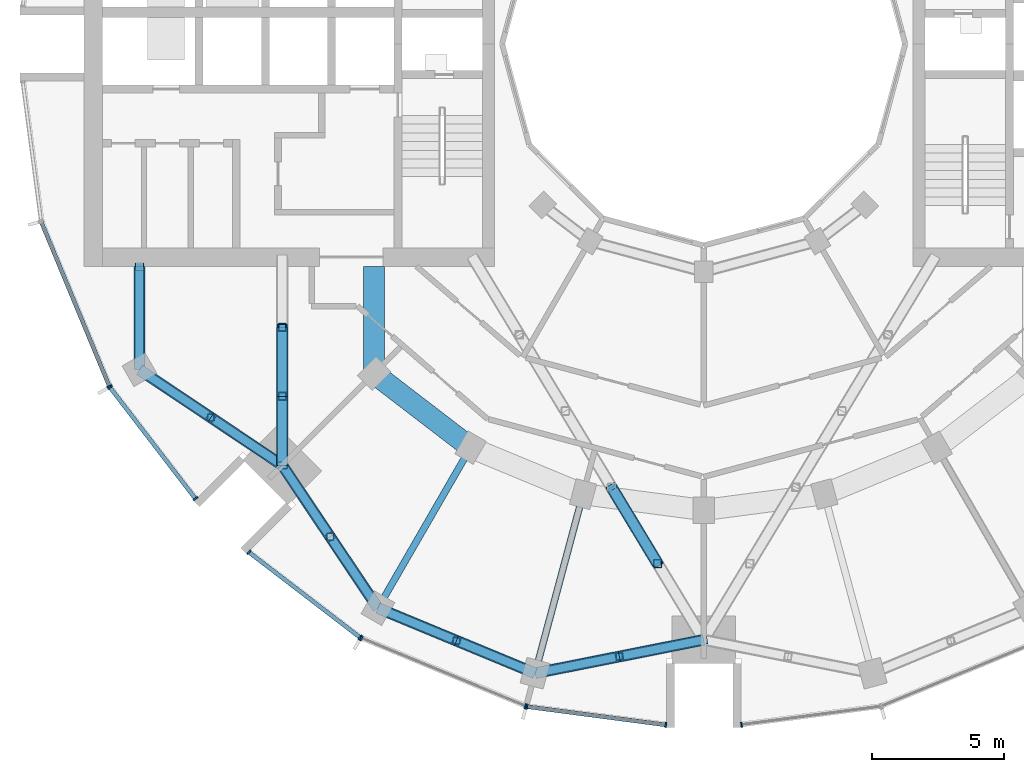
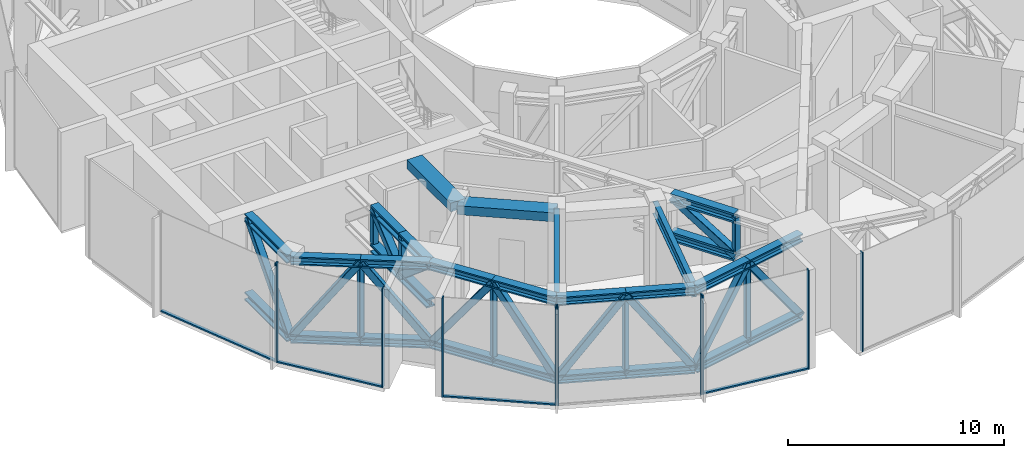
# One storey, part 2 of 18: 57 members, 4 beams, 6 elements without a shape of their own.
"""IFC4 building model written with IfcOpenShell, lengths in metres."""

import ifcopenshell
import ifcopenshell.guid

model = None  # the IFC model being written
_history = None  # IfcOwnerHistory: only IFC2X3 demands one
_inside = {}  # id of a spatial element -> (the spatial element, [elements in it])
_under = {}  # id of a project, library or spatial element -> (it, [spatial elements below it])
_declared = {}  # id of a project -> (the project, [libraries it declares])
_typed = {}  # id of a type object -> (the type object, [elements of that type])
_made_of = {}  # id of a material, layer set ... -> (it, [elements and type objects made of it])


def new_model(schema):
    """Start an empty IFC model of exactly this schema.

    Asked for "IFC4X3", IfcOpenShell would pick the latest addendum, in which some entities
    have other attributes; the version numbers below select the first issue.
    IFC2X3 requires an IfcOwnerHistory on every rooted entity: one is made here for all.
    """
    global model, _history
    if schema == "IFC4X3":
        model = ifcopenshell.file(schema_version=(4, 3, 0, 0))
    else:
        model = ifcopenshell.file(schema=schema)
    _inside.clear()
    _under.clear()
    _declared.clear()
    _typed.clear()
    _made_of.clear()
    _history = None
    if model.schema == "IFC2X3":
        org = make("IfcOrganization", Name="unknown")
        user = make(
            "IfcPersonAndOrganization",
            ThePerson=make("IfcPerson", FamilyName="unknown"),
            TheOrganization=org,
        )
        app = make(
            "IfcApplication",
            ApplicationDeveloper=org,
            Version="unknown",
            ApplicationFullName="unknown",
            ApplicationIdentifier="unknown",
        )
        _history = make(
            "IfcOwnerHistory",
            OwningUser=user,
            OwningApplication=app,
            ChangeAction="ADDED",
            CreationDate=0,
        )
    return model


def make(cls, **values):
    """One entity of the class cls with the attributes given. An attribute that is None is left unset."""
    return model.create_entity(
        cls, **{name: value for name, value in values.items() if value is not None}
    )


def rooted(cls, **values):
    """An entity with a GlobalId (a new one), such as an element, a storey or a relation."""
    return make(cls, GlobalId=ifcopenshell.guid.new(), OwnerHistory=_history, **values)


def si_unit(unit_type, name, prefix=None):
    """IfcSIUnit, for example si_unit("LENGTHUNIT", "METRE", prefix="MILLI")."""
    return make("IfcSIUnit", UnitType=unit_type, Prefix=prefix, Name=name)


def assignment(units):
    """IfcUnitAssignment: the units of a project."""
    return None if units is None else make("IfcUnitAssignment", Units=units)


def point(xyz):
    """IfcCartesianPoint."""
    return None if xyz is None else make("IfcCartesianPoint", Coordinates=xyz)


def direction(xyz):
    """IfcDirection."""
    return None if xyz is None else make("IfcDirection", DirectionRatios=xyz)


def frame(location, z_axis=None, x_axis=None):
    """IfcAxis2Placement3D, a coordinate frame: its origin and axes. An axis left out is left unset."""
    return make(
        "IfcAxis2Placement3D",
        Location=point(location),
        Axis=direction(z_axis),
        RefDirection=direction(x_axis),
    )


def frame_2d(location, x_axis=None):
    """IfcAxis2Placement2D, a coordinate frame in the plane: its origin and x axis."""
    return make(
        "IfcAxis2Placement2D", Location=point(location), RefDirection=direction(x_axis)
    )


def origin():
    """The frame at (0, 0, 0) with its axes left unset."""
    return frame((0.0, 0.0, 0.0))


def origin_2d():
    """The frame at (0, 0) in the plane with its x axis left unset."""
    return frame_2d((0.0, 0.0))


def place(relative_to, where):
    """IfcLocalPlacement: puts the frame where relative to a parent placement (None: the world)."""
    return make(
        "IfcLocalPlacement", PlacementRelTo=relative_to, RelativePlacement=where
    )


def context(
    kind, dimensions, precision=None, world=None, true_north=None, identifier=None
):
    """IfcGeometricRepresentationContext, for example the 3D "Model" context."""
    return make(
        "IfcGeometricRepresentationContext",
        ContextIdentifier=identifier,
        ContextType=kind,
        CoordinateSpaceDimension=dimensions,
        Precision=precision,
        WorldCoordinateSystem=world,
        TrueNorth=true_north,
    )


def subcontext(parent, identifier, kind, view, scale=None):
    """IfcGeometricRepresentationSubContext, for example "Body" below "Model"."""
    return make(
        "IfcGeometricRepresentationSubContext",
        ContextIdentifier=identifier,
        ContextType=kind,
        ParentContext=parent,
        TargetScale=scale,
        TargetView=view,
    )


def project(units=None, contexts=None):
    """IfcProject with its units and contexts."""
    return rooted(
        "IfcProject",
        Name="project",
        RepresentationContexts=contexts,
        UnitsInContext=assignment(units),
    )


def spatial(cls, under=None, at=None, **own):
    """A site, building, storey or space (cls), placed at a placement, below another one or the project."""
    s = rooted(cls, ObjectPlacement=at, **own)
    if under is not None:
        _under.setdefault(under.id(), (under, []))[1].append(s)
    return s


def profile(cls, at=None, kind="AREA", **sizes):
    """A parametric profile (cls). Its sizes go by their IFC names, for example OverallWidth=200.0."""
    return make(cls, ProfileType=kind, Position=at, **sizes)


def rectangle(**sizes):
    """IfcRectangleProfileDef."""
    return profile("IfcRectangleProfileDef", **sizes)


def hollow_rectangle(**sizes):
    """IfcRectangleHollowProfileDef."""
    return profile("IfcRectangleHollowProfileDef", **sizes)


def i_section(**sizes):
    """IfcIShapeProfileDef."""
    return profile("IfcIShapeProfileDef", **sizes)


def extrude(swept, where, along, depth):
    """IfcExtrudedAreaSolid: the profile swept, set in the frame where, extruded along a direction by depth."""
    return make(
        "IfcExtrudedAreaSolid",
        SweptArea=swept,
        Position=where,
        ExtrudedDirection=direction(along),
        Depth=depth,
    )


def shape(context_of_items, identifier, shape_type, items):
    """IfcShapeRepresentation: the items that make up one representation, for example the "Body"."""
    return make(
        "IfcShapeRepresentation",
        ContextOfItems=context_of_items,
        RepresentationIdentifier=identifier,
        RepresentationType=shape_type,
        Items=items,
    )


def material(Name=None, Category=None):
    """IfcMaterial."""
    return make("IfcMaterial", Name=Name, Category=Category)


def layer(
    of_material, thickness, ventilated=None, Name=None, Category=None, Priority=None
):
    """IfcMaterialLayer: one layer of a wall or slab, of a material (None: an air gap)."""
    return make(
        "IfcMaterialLayer",
        Material=of_material,
        LayerThickness=thickness,
        IsVentilated=ventilated,
        Name=Name,
        Category=Category,
        Priority=Priority,
    )


def layer_set(layers, Name=None):
    """IfcMaterialLayerSet."""
    return make("IfcMaterialLayerSet", MaterialLayers=layers, LayerSetName=Name)


def material_profile(
    of_material, cross_section, Name=None, Category=None, Priority=None
):
    """IfcMaterialProfile: a cross section and its material."""
    return make(
        "IfcMaterialProfile",
        Name=Name,
        Material=of_material,
        Profile=cross_section,
        Priority=Priority,
        Category=Category,
    )


def profile_set(profiles, Name=None, composite=None):
    """IfcMaterialProfileSet."""
    return make(
        "IfcMaterialProfileSet",
        Name=Name,
        MaterialProfiles=profiles,
        CompositeProfile=composite,
    )


def made_of(thing, what):
    """Note that an element or type object is made of a material, layer set ...; save() writes the relation."""
    if what is not None:
        _made_of.setdefault(what.id(), (what, []))[1].append(thing)
    return thing


def type_object(cls, material=None, **own):
    """A type object (cls), such as IfcWallType, which elements share."""
    return made_of(rooted(cls, **own), material)


def element(
    cls,
    number,
    at=None,
    inside=None,
    cuts=None,
    type_object=None,
    material=None,
    context=None,
    identifier="Body",
    shape_type=None,
    held_by="IfcProductDefinitionShape",
    body=None,
    shapes=None,
    **own,
):
    """One element of the class cls, such as IfcWall. Its Tag is "e" and its number.

    at: its placement. inside: the storey or other place that contains it. cuts: it is an
    opening in that element (IfcRelVoidsElement). A single representation is given by context,
    identifier, shape_type and body (its items); several are given by shapes. held_by: the class
    of the entity that holds the representations. save() writes the other relations.
    """
    e = rooted(cls, Tag="e%d" % number, ObjectPlacement=at, **own)
    if body is not None:
        shapes = [shape(context, identifier, shape_type, body)]
    if shapes is not None:
        e.Representation = make(held_by, Representations=shapes)
    if inside is not None:
        _inside.setdefault(inside.id(), (inside, []))[1].append(e)
    if cuts is not None:
        rooted(
            "IfcRelVoidsElement", RelatingBuildingElement=cuts, RelatedOpeningElement=e
        )
    if type_object is not None:
        _typed.setdefault(type_object.id(), (type_object, []))[1].append(e)
    return made_of(e, material)


def aggregate(whole, parts):
    """IfcRelAggregates: a whole, such as a stair, and the parts it consists of."""
    return rooted("IfcRelAggregates", RelatingObject=whole, RelatedObjects=parts)


def save(model, path):
    """Write the relations noted so far, then the file.

    IfcRelAggregates (storeys below a building ...), IfcRelContainedInSpatialStructure (elements
    in a storey), IfcRelDefinesByType, IfcRelAssociatesMaterial and IfcRelDeclares: one each for
    every whole, place, type object, material and project.
    """
    for whole, parts in _under.values():
        aggregate(whole, parts)
    for where, things in _inside.values():
        rooted(
            "IfcRelContainedInSpatialStructure",
            RelatedElements=things,
            RelatingStructure=where,
        )
    for kind, things in _typed.values():
        rooted("IfcRelDefinesByType", RelatedObjects=things, RelatingType=kind)
    for what, things in _made_of.values():
        rooted("IfcRelAssociatesMaterial", RelatedObjects=things, RelatingMaterial=what)
    for by, libraries in _declared.values():
        rooted("IfcRelDeclares", RelatingContext=by, RelatedDefinitions=libraries)
    model.write(path)


model = new_model("IFC4")

# Units and contexts
model_context = context("Model", 3, precision=1e-05, world=origin(), true_north=direction((0.0, 1.0)))
body_context = subcontext(model_context, "Body", "Model", "MODEL_VIEW")
ifc_project = project(units=[si_unit("LENGTHUNIT", "METRE"), si_unit("AREAUNIT", "SQUARE_METRE"), si_unit("VOLUMEUNIT", "CUBIC_METRE"), si_unit("PLANEANGLEUNIT", "RADIAN"), si_unit("MASSUNIT", "GRAM", prefix="KILO")], contexts=[model_context])

# Site, building, storey
site_placement = place(None, origin())
site = spatial("IfcSite", under=ifc_project, at=site_placement, CompositionType="ELEMENT")
building_placement = place(site_placement, origin())
building = spatial("IfcBuilding", under=site, at=building_placement, Name="Torre Brocal", CompositionType="ELEMENT")
storey_placement = place(building_placement, frame((0.0, 0.0, 109.0)))
storey = spatial("IfcBuildingStorey", under=building, at=storey_placement, Name="L25", CompositionType="ELEMENT", Elevation=109.0)

# Members
ifc_material_1 = material(Name="Steel A500 Grade C", Category="steel")
ifc_material_profile_1 = material_profile(ifc_material_1, hollow_rectangle(XDim=0.25390625, YDim=0.25390625, WallThickness=0.01171875, InnerFilletRadius=0.01171875, OuterFilletRadius=0.023681640625, at=origin_2d()), Name="HSS10X10X1/2")
ifc_profile_set_1 = profile_set([ifc_material_profile_1], Name="Steel A500 Grade C")
member_type_1 = type_object("IfcMemberType", Name="BELT 1 POST HSS10X10X1/2", PredefinedType="POST", material=ifc_profile_set_1)
for number, where, z_axis, x_axis, name in (
    (1, (61.392822265625, 60.89501953125, 0.63232421875), (0.0, 0.0, 1.0), (1.0, 0.0, 0.0), "Member BT1-P11"),
    (2, (65.89501953125, 56.392822265625, 0.63232421875), (0.0, 0.0, 1.0), (1.0, 0.0, 0.0), "Member BT1-P12"),
    (3, (70.66650390625, 52.467041015625, 0.63232421875), (0.0, 0.0, 1.0), (1.0, 0.0, 0.0), "Member BT1-P13"),
    (4, (76.81640625, 51.869140625, 0.63232421875), (0.0, 0.0, 1.0), (1.0, 0.0, 0.0), "Member BT1-P14"),
):
    element("IfcMember", number, at=place(storey_placement, frame(where, z_axis=z_axis, x_axis=x_axis)), inside=storey, type_object=member_type_1, Name=name, PredefinedType="POST", context=body_context, shape_type="SweptSolid", body=[
        extrude(hollow_rectangle(XDim=0.25390625, YDim=0.25390625, WallThickness=0.01171875, InnerFilletRadius=0.01171875, OuterFilletRadius=0.023681640625, at=origin_2d()), origin(), (0.0, 0.0, 1.0), 4.415283203125),
    ])

# Curtain wall, member
ifc_material_2 = material(Name="Aluminium and glass", Category="aluminium")
ifc_layer = layer(ifc_material_2, 0.199951171875)
ifc_layer_set = layer_set([ifc_layer], Name="Aluminium and glass")
curtain_wall_type = type_object("IfcCurtainWallType", Name="CW-1 CURTAIN WALL 5600 HIGH", PredefinedType="NOTDEFINED", material=ifc_layer_set)
curtain_wall_1_placement = place(storey_placement, origin())
curtain_wall_1 = element("IfcCurtainWall", 5, at=curtain_wall_1_placement, inside=storey, type_object=curtain_wall_type, Name="CW-1 RUN 14", PredefinedType="NOTDEFINED")
ifc_material_3 = material(Name="Aluminium, dark anodised", Category="aluminium")
ifc_material_profile_2 = material_profile(ifc_material_3, rectangle(XDim=0.199951171875, YDim=0.06005859375, at=origin_2d()), Name="CW-1 MULLION 60X200")
ifc_profile_set_2 = profile_set([ifc_material_profile_2], Name="Aluminium, dark anodised")
member_type_2 = type_object("IfcMemberType", Name="CW-1 MULLION 60X200", PredefinedType="MULLION", material=ifc_profile_set_2)
member_1_placement = place(storey_placement, frame((57.559326171875, 62.078125, 0.0), z_axis=(0.0, 0.0, 1.0), x_axis=(0.923879532525, 0.382683432333, 0.0)))
member_1 = element("IfcMember", 6, at=member_1_placement, type_object=member_type_2, Name="CW1-2 mullion 2", PredefinedType="MULLION", context=body_context, shape_type="SweptSolid", body=[
    extrude(rectangle(XDim=0.199951171875, YDim=0.06005859375, at=origin_2d()), origin(), (0.0, 0.0, 1.0), 5.60009765625),
])

# Curtain wall, members
curtain_wall_2_placement = place(storey_placement, origin())
curtain_wall_2 = element("IfcCurtainWall", 7, at=curtain_wall_2_placement, inside=storey, type_object=curtain_wall_type, Name="CW-1 RUN 15", PredefinedType="NOTDEFINED")
member_2_placement = place(storey_placement, frame((57.5888671875, 62.026611328125, 0.0), z_axis=(0.0, 0.0, 1.0), x_axis=(0.793353340259, 0.60876142905, 0.0)))
member_2 = element("IfcMember", 8, at=member_2_placement, type_object=member_type_2, Name="CW1-2 mullion 1", PredefinedType="MULLION", context=body_context, shape_type="SweptSolid", body=[
    extrude(rectangle(XDim=0.199951171875, YDim=0.06005859375, at=origin_2d()), origin(), (0.0, 0.0, 1.0), 5.60009765625),
])
member_3_placement = place(storey_placement, frame((60.80859375, 57.83056640625, 0.0), z_axis=(0.0, 0.0, 1.0), x_axis=(0.793353340259, 0.60876142905, 0.0)))
member_3 = element("IfcMember", 9, at=member_3_placement, type_object=member_type_2, Name="CW1-2 mullion 2", PredefinedType="MULLION", context=body_context, shape_type="SweptSolid", body=[
    extrude(rectangle(XDim=0.199951171875, YDim=0.06005859375, at=origin_2d()), origin(), (0.0, 0.0, 1.0), 5.60009765625),
])

curtain_wall_3_placement = place(storey_placement, origin())
curtain_wall_3 = element("IfcCurtainWall", 10, at=curtain_wall_3_placement, inside=storey, type_object=curtain_wall_type, Name="CW-1 RUN 16", PredefinedType="NOTDEFINED")
member_4_placement = place(storey_placement, frame((62.83056640625, 55.80859375, 0.0), z_axis=(0.0, 0.0, 1.0), x_axis=(0.60876142905, 0.793353340259, 0.0)))
member_4 = element("IfcMember", 11, at=member_4_placement, type_object=member_type_2, Name="CW1-2 mullion 1", PredefinedType="MULLION", context=body_context, shape_type="SweptSolid", body=[
    extrude(rectangle(XDim=0.199951171875, YDim=0.06005859375, at=origin_2d()), origin(), (0.0, 0.0, 1.0), 5.60009765625),
])
member_5_placement = place(storey_placement, frame((67.026611328125, 52.5888671875, 0.0), z_axis=(0.0, 0.0, 1.0), x_axis=(0.60876142905, 0.793353340259, 0.0)))
member_5 = element("IfcMember", 12, at=member_5_placement, type_object=member_type_2, Name="CW1-2 mullion 2", PredefinedType="MULLION", context=body_context, shape_type="SweptSolid", body=[
    extrude(rectangle(XDim=0.199951171875, YDim=0.06005859375, at=origin_2d()), origin(), (0.0, 0.0, 1.0), 5.60009765625),
])

curtain_wall_4_placement = place(storey_placement, origin())
curtain_wall_4 = element("IfcCurtainWall", 13, at=curtain_wall_4_placement, inside=storey, type_object=curtain_wall_type, Name="CW-1 RUN 17", PredefinedType="NOTDEFINED")
member_6_placement = place(storey_placement, frame((67.078125, 52.559326171875, 0.0), z_axis=(0.0, 0.0, 1.0), x_axis=(0.382683432333, 0.923879532525, 0.0)))
member_6 = element("IfcMember", 14, at=member_6_placement, type_object=member_type_2, Name="CW1-2 mullion 1", PredefinedType="MULLION", context=body_context, shape_type="SweptSolid", body=[
    extrude(rectangle(XDim=0.199951171875, YDim=0.06005859375, at=origin_2d()), origin(), (0.0, 0.0, 1.0), 5.60009765625),
])
member_7_placement = place(storey_placement, frame((73.26904296875, 49.994873046875, 0.0), z_axis=(0.0, 0.0, 1.0), x_axis=(0.382683432333, 0.923879532525, 0.0)))
member_7 = element("IfcMember", 15, at=member_7_placement, type_object=member_type_2, Name="CW1-2 mullion 2", PredefinedType="MULLION", context=body_context, shape_type="SweptSolid", body=[
    extrude(rectangle(XDim=0.199951171875, YDim=0.06005859375, at=origin_2d()), origin(), (0.0, 0.0, 1.0), 5.60009765625),
])
aggregate(curtain_wall_4, [member_6, member_7])

curtain_wall_5_placement = place(storey_placement, origin())
curtain_wall_5 = element("IfcCurtainWall", 16, at=curtain_wall_5_placement, inside=storey, type_object=curtain_wall_type, Name="CW-1 RUN 18", PredefinedType="NOTDEFINED")
member_8_placement = place(storey_placement, frame((73.32666015625, 49.9794921875, 0.0), z_axis=(0.0, 0.0, 1.0), x_axis=(0.13052619222, 0.991444861374, 0.0)))
member_8 = element("IfcMember", 17, at=member_8_placement, type_object=member_type_2, Name="CW1-2 mullion 1", PredefinedType="MULLION", context=body_context, shape_type="SweptSolid", body=[
    extrude(rectangle(XDim=0.199951171875, YDim=0.06005859375, at=origin_2d()), origin(), (0.0, 0.0, 1.0), 5.60009765625),
])
member_9_placement = place(storey_placement, frame((78.5703125, 49.2890625, 0.0), z_axis=(0.0, 0.0, 1.0), x_axis=(0.13052619222, 0.991444861374, 0.0)))
member_9 = element("IfcMember", 18, at=member_9_placement, type_object=member_type_2, Name="CW1-2 mullion 2", PredefinedType="MULLION", context=body_context, shape_type="SweptSolid", body=[
    extrude(rectangle(XDim=0.199951171875, YDim=0.06005859375, at=origin_2d()), origin(), (0.0, 0.0, 1.0), 5.60009765625),
])

# Curtain wall, member
curtain_wall_6_placement = place(storey_placement, origin())
curtain_wall_6 = element("IfcCurtainWall", 19, at=curtain_wall_6_placement, inside=storey, type_object=curtain_wall_type, Name="CW-1 RUN 19", PredefinedType="NOTDEFINED")
member_10_placement = place(storey_placement, frame((81.4296875, 49.2890625, 0.0), z_axis=(0.0, 0.0, 1.0), x_axis=(-0.13052619222, 0.991444861374, 0.0)))
member_10 = element("IfcMember", 20, at=member_10_placement, type_object=member_type_2, Name="CW1-2 mullion 1", PredefinedType="MULLION", context=body_context, shape_type="SweptSolid", body=[
    extrude(rectangle(XDim=0.199951171875, YDim=0.06005859375, at=origin_2d()), origin(), (0.0, 0.0, 1.0), 5.60009765625),
])
aggregate(curtain_wall_6, [member_10])

# Member
ifc_material_4 = material(Name="Aluminium, dark anodised", Category="aluminium")
ifc_material_profile_3 = material_profile(ifc_material_4, rectangle(XDim=0.159912109375, YDim=0.080078125, at=origin_2d()), Name="CW-1 TRANSOM 160X80")
ifc_profile_set_3 = profile_set([ifc_material_profile_3], Name="Aluminium, dark anodised")
member_type_3 = type_object("IfcMemberType", Name="CW-1 TRANSOM 160X80", PredefinedType="USERDEFINED", material=ifc_profile_set_3)
member_11_placement = place(storey_placement, frame((55.00634765625, 68.241455078125, 0.0400390625), z_axis=(0.38266457234, -0.923887344364, 0.0), x_axis=(0.923887344364, 0.38266457234, 0.0)))
member_11 = element("IfcMember", 21, at=member_11_placement, type_object=member_type_3, Name="CW1-2 transom 1.1", ObjectType="TRANSOM", PredefinedType="USERDEFINED", context=body_context, shape_type="SweptSolid", body=[
    extrude(rectangle(XDim=0.159912109375, YDim=0.080078125, at=origin_2d()), origin(), (0.0, 0.0, 1.0), 6.640869140625),
])

aggregate(curtain_wall_1, [member_1, member_11])

member_12_placement = place(storey_placement, frame((57.607177734375, 62.0029296875, 0.0400390625), z_axis=(0.60874908096, -0.79336281513, 0.0), x_axis=(0.79336281513, 0.60874908096, 0.0)))
member_12 = element("IfcMember", 22, at=member_12_placement, type_object=member_type_3, Name="CW1-2 transom 1.1", ObjectType="TRANSOM", PredefinedType="USERDEFINED", context=body_context, shape_type="SweptSolid", body=[
    extrude(rectangle(XDim=0.159912109375, YDim=0.080078125, at=origin_2d()), origin(), (0.0, 0.0, 1.0), 5.22900390625),
])

aggregate(curtain_wall_2, [member_2, member_3, member_12])

member_13_placement = place(storey_placement, frame((62.8544921875, 55.790283203125, 0.0400390625), z_axis=(0.79336281513, -0.60874908096, 0.0), x_axis=(0.60874908096, 0.79336281513, 0.0)))
member_13 = element("IfcMember", 23, at=member_13_placement, type_object=member_type_3, Name="CW1-2 transom 1.1", ObjectType="TRANSOM", PredefinedType="USERDEFINED", context=body_context, shape_type="SweptSolid", body=[
    extrude(rectangle(XDim=0.159912109375, YDim=0.080078125, at=origin_2d()), origin(), (0.0, 0.0, 1.0), 5.22900390625),
])

aggregate(curtain_wall_3, [member_4, member_5, member_13])

member_14_placement = place(storey_placement, frame((73.356201171875, 49.9755859375, 0.0400390625), z_axis=(0.991442690863, -0.130542677827, 0.0), x_axis=(0.130542677827, 0.991442690863, 0.0)))
member_14 = element("IfcMember", 24, at=member_14_placement, type_object=member_type_3, Name="CW1-2 transom 1.1", ObjectType="TRANSOM", PredefinedType="USERDEFINED", context=body_context, shape_type="SweptSolid", body=[
    extrude(rectangle(XDim=0.159912109375, YDim=0.080078125, at=origin_2d()), origin(), (0.0, 0.0, 1.0), 5.22900390625),
])

aggregate(curtain_wall_5, [member_8, member_9, member_14])

# Members
ifc_material_5 = material(Name="Steel A500 Grade C", Category="steel")
ifc_material_profile_4 = material_profile(ifc_material_5, hollow_rectangle(XDim=0.3046875, YDim=0.3046875, WallThickness=0.014892578125, InnerFilletRadius=0.014892578125, OuterFilletRadius=0.029541015625, at=origin_2d()), Name="HSS12X12X5/8")
ifc_profile_set_4 = profile_set([ifc_material_profile_4], Name="Steel A500 Grade C")
member_type_4 = type_object("IfcMemberType", Name="OUTRIGGER 1 POST HSS12X12X5/8", PredefinedType="POST", material=ifc_profile_set_4)
for number, where, z_axis, x_axis, name in (
    (25, (64.090087890625, 64.296630859375, 2.848876953125), (0.0, 0.0, 1.0), (1.0, 0.0, 0.0), "Member OT1-P13"),
    (26, (64.090087890625, 61.693359375, 2.848876953125), (0.0, 0.0, 1.0), (1.0, 0.0, 0.0), "Member OT1-P14"),
):
    element("IfcMember", number, at=place(storey_placement, frame(where, z_axis=z_axis, x_axis=x_axis)), inside=storey, type_object=member_type_4, Name=name, PredefinedType="POST", context=body_context, shape_type="SweptSolid", body=[
        extrude(hollow_rectangle(XDim=0.3046875, YDim=0.3046875, WallThickness=0.014892578125, InnerFilletRadius=0.014892578125, OuterFilletRadius=0.029541015625, at=origin_2d()), origin(), (0.0, 0.0, 1.0), 2.18212890625),
    ])
member_15_placement = place(storey_placement, frame((78.260009765625, 55.3798828125, 2.865478515625), z_axis=(0.0, 0.0, 1.0), x_axis=(1.0, 0.0, 0.0)))
element("IfcMember", 27, at=member_15_placement, inside=storey, type_object=member_type_4, Name="Member OT1-P22", PredefinedType="POST", context=body_context, shape_type="SweptSolid", body=[
    extrude(hollow_rectangle(XDim=0.3046875, YDim=0.3046875, WallThickness=0.014892578125, InnerFilletRadius=0.014892578125, OuterFilletRadius=0.029541015625, at=origin_2d()), origin(), (0.0, 0.0, 1.0), 2.149169921875),
])

# Beams
ifc_material_6 = material(Name="Steel A992", Category="steel")
ifc_material_profile_5 = material_profile(ifc_material_6, i_section(OverallWidth=0.256591796875, OverallDepth=0.693359375, WebThickness=0.014404296875, FlangeThickness=0.023681640625, at=origin_2d()), Name="W27X114")
ifc_profile_set_5 = profile_set([ifc_material_profile_5], Name="Steel A992")
beam_type_1 = type_object("IfcBeamType", Name="PLANT FLOOR BEAM TOP 5280 W27X114", PredefinedType="BEAM", material=ifc_profile_set_5)
for number, where, z_axis, x_axis, name in (
    (28, (71.199951171875, 59.758056640625, 4.933349609375), (-0.499995173006, -0.866028190633, 0.0), (0.866028190633, -0.499995173006, 0.0), "Beam SF-01"),
    (29, (75.44482421875, 57.999755859375, 4.933349609375), (-0.258823832372, -0.965924543531, 0.0), (0.965924543531, -0.258823832372, 0.0), "Beam SF-01"),
):
    element("IfcBeam", number, at=place(storey_placement, frame(where, z_axis=z_axis, x_axis=x_axis)), inside=storey, type_object=beam_type_1, Name=name, PredefinedType="BEAM", context=body_context, shape_type="SweptSolid", body=[
        extrude(i_section(OverallWidth=0.256591796875, OverallDepth=0.693359375, WebThickness=0.014404296875, FlangeThickness=0.023681640625, at=origin_2d()), origin(), (0.0, 0.0, 1.0), 7.0),
    ])
ifc_material_7 = material(Name="Concrete C50", Category="concrete")
ifc_material_profile_6 = material_profile(ifc_material_7, rectangle(XDim=0.800048828125, YDim=0.5, at=origin_2d()), Name="RC 800X500")
ifc_profile_set_6 = profile_set([ifc_material_profile_6], Name="Concrete C50")
beam_type_2 = type_object("IfcBeamType", Name="RC BEAM 800X500 C50 TOP 5280", PredefinedType="BEAM", material=ifc_profile_set_6)
beam_1_placement = place(storey_placement, frame((67.554931640625, 62.554931640625, 5.030029296875), z_axis=(0.0, 1.0, 0.0), x_axis=(-1.0, 0.0, 0.0)))
element("IfcBeam", 30, at=beam_1_placement, inside=storey, type_object=beam_type_2, Name="Beam BT-27", PredefinedType="BEAM", context=body_context, shape_type="SweptSolid", body=[
    extrude(rectangle(XDim=0.800048828125, YDim=0.5, at=origin_2d()), origin(), (0.0, 0.0, 1.0), 4.045166015625),
])
beam_2_placement = place(storey_placement, frame((67.554931640625, 62.554931640625, 5.030029296875), z_axis=(0.793358265959, -0.6087550097, 0.0), x_axis=(0.6087550097, 0.793358265959, 0.0)))
element("IfcBeam", 31, at=beam_2_placement, inside=storey, type_object=beam_type_2, Name="Beam BT-27", PredefinedType="BEAM", context=body_context, shape_type="SweptSolid", body=[
    extrude(rectangle(XDim=0.800048828125, YDim=0.5, at=origin_2d()), origin(), (0.0, 0.0, 1.0), 4.594482421875),
])

# Members
ifc_material_8 = material(Name="Steel A992", Category="steel")
ifc_material_profile_7 = material_profile(ifc_material_8, i_section(OverallWidth=0.421630859375, OverallDepth=0.46484375, WebThickness=0.044921875, FlangeThickness=0.072509765625, at=origin_2d()), Name="W14X398")
ifc_profile_set_7 = profile_set([ifc_material_profile_7], Name="Steel A992")
member_type_5 = type_object("IfcMemberType", Name="TRUSS BOTTOM CHORD W14X398", PredefinedType="CHORD", material=ifc_profile_set_7)
member_16_placement = place(storey_placement, frame((58.69580078125, 62.699951171875, 0.63232421875), z_axis=(0.0, 1.0, 0.0), x_axis=(-1.0, 0.0, 0.0)))
element("IfcMember", 32, at=member_16_placement, inside=storey, type_object=member_type_5, Name="Member BT1-C36", PredefinedType="CHORD", context=body_context, shape_type="SweptSolid", body=[
    extrude(i_section(OverallWidth=0.421630859375, OverallDepth=0.46484375, WebThickness=0.044921875, FlangeThickness=0.072509765625, at=origin_2d()), origin(), (0.0, 0.0, 1.0), 3.900146484375),
])
for number, where, z_axis, x_axis, name in (
    (33, (58.69580078125, 62.699951171875, 0.63232421875), (0.831065209559, -0.556174988166, 0.0), (0.556174988166, 0.831065209559, 0.0), "Member BT1-C38"),
    (34, (61.392822265625, 60.89501953125, 0.63232421875), (0.831088478302, -0.556140217242, 0.0), (0.556140217242, 0.831088478302, 0.0), "Member BT1-C40"),
    (35, (64.090087890625, 59.090087890625, 0.63232421875), (0.556140217242, -0.831088478302, 0.0), (0.831088478302, 0.556140217242, 0.0), "Member BT1-C42"),
    (36, (65.89501953125, 56.392822265625, 0.63232421875), (0.556174988166, -0.831065209559, 0.0), (0.831065209559, 0.556174988166, 0.0), "Member BT1-C44"),
):
    element("IfcMember", number, at=place(storey_placement, frame(where, z_axis=z_axis, x_axis=x_axis)), inside=storey, type_object=member_type_5, Name=name, PredefinedType="CHORD", context=body_context, shape_type="SweptSolid", body=[
        extrude(i_section(OverallWidth=0.421630859375, OverallDepth=0.46484375, WebThickness=0.044921875, FlangeThickness=0.072509765625, at=origin_2d()), origin(), (0.0, 0.0, 1.0), 3.245361328125),
    ])
for number, where, z_axis, x_axis, name in (
    (37, (67.699951171875, 53.69580078125, 0.63232421875), (0.923882462513, -0.382676358639, 0.0), (0.382676358639, 0.923882462513, 0.0), "Member BT1-C46"),
    (38, (70.66650390625, 52.467041015625, 0.63232421875), (0.923882462513, -0.382676358639, 0.0), (0.382676358639, 0.923882462513, 0.0), "Member BT1-C48"),
):
    element("IfcMember", number, at=place(storey_placement, frame(where, z_axis=z_axis, x_axis=x_axis)), inside=storey, type_object=member_type_5, Name=name, PredefinedType="CHORD", context=body_context, shape_type="SweptSolid", body=[
        extrude(i_section(OverallWidth=0.421630859375, OverallDepth=0.46484375, WebThickness=0.044921875, FlangeThickness=0.072509765625, at=origin_2d()), origin(), (0.0, 0.0, 1.0), 3.2109375),
    ])
member_17_placement = place(storey_placement, frame((73.633056640625, 51.23828125, 0.63232421875), z_axis=(0.980923486126, 0.194394224108, 0.0), x_axis=(-0.194394224108, 0.980923486126, 0.0)))
element("IfcMember", 39, at=member_17_placement, inside=storey, type_object=member_type_5, Name="Member BT1-C50", PredefinedType="CHORD", context=body_context, shape_type="SweptSolid", body=[
    extrude(i_section(OverallWidth=0.421630859375, OverallDepth=0.46484375, WebThickness=0.044921875, FlangeThickness=0.072509765625, at=origin_2d()), origin(), (0.0, 0.0, 1.0), 3.245361328125),
])
member_18_placement = place(storey_placement, frame((76.81640625, 51.869140625, 0.63232421875), z_axis=(0.980926328685, 0.194379879856, 0.0), x_axis=(-0.194379879856, 0.980926328685, 0.0)))
element("IfcMember", 40, at=member_18_placement, inside=storey, type_object=member_type_5, Name="Member BT1-C52", PredefinedType="CHORD", context=body_context, shape_type="SweptSolid", body=[
    extrude(i_section(OverallWidth=0.421630859375, OverallDepth=0.46484375, WebThickness=0.044921875, FlangeThickness=0.072509765625, at=origin_2d()), origin(), (0.0, 0.0, 1.0), 3.24560546875),
])
ifc_material_9 = material(Name="Steel A992", Category="steel")
ifc_material_profile_8 = material_profile(ifc_material_9, i_section(OverallWidth=0.431884765625, OverallDepth=0.497802734375, WebThickness=0.0556640625, FlangeThickness=0.0888671875, at=origin_2d()), Name="W14X500")
ifc_profile_set_8 = profile_set([ifc_material_profile_8], Name="Steel A992")
member_type_6 = type_object("IfcMemberType", Name="TRUSS BOTTOM CHORD W14X500", PredefinedType="CHORD", material=ifc_profile_set_8)
for number, where, z_axis, x_axis, name in (
    (41, (64.090087890625, 64.296630859375, 2.848876953125), (0.0, -1.0, 0.0), (1.0, 0.0, 0.0), "Member OT1-C36"),
    (42, (64.090087890625, 61.693359375, 2.848876953125), (0.0, -1.0, 0.0), (1.0, 0.0, 0.0), "Member OT1-C38"),
):
    element("IfcMember", number, at=place(storey_placement, frame(where, z_axis=z_axis, x_axis=x_axis)), inside=storey, type_object=member_type_6, Name=name, PredefinedType="CHORD", context=body_context, shape_type="SweptSolid", body=[
        extrude(i_section(OverallWidth=0.431884765625, OverallDepth=0.497802734375, WebThickness=0.0556640625, FlangeThickness=0.0888671875, at=origin_2d()), origin(), (0.0, 0.0, 1.0), 2.603271484375),
    ])
ifc_material_10 = material(Name="Steel A992", Category="steel")
ifc_material_profile_9 = material_profile(ifc_material_10, i_section(OverallWidth=0.44189453125, OverallDepth=0.531005859375, WebThickness=0.06591796875, FlangeThickness=0.105712890625, at=origin_2d()), Name="W14X605")
ifc_profile_set_9 = profile_set([ifc_material_profile_9], Name="Steel A992")
member_type_7 = type_object("IfcMemberType", Name="TRUSS BOTTOM CHORD W14X605", PredefinedType="CHORD", material=ifc_profile_set_9)
member_19_placement = place(storey_placement, frame((76.52001953125, 58.260009765625, 2.865478515625), z_axis=(0.517096814817, -0.855926915167, 0.0), x_axis=(0.855926915167, 0.517096814817, 0.0)))
element("IfcMember", 43, at=member_19_placement, inside=storey, type_object=member_type_7, Name="Member OT1-C56", PredefinedType="CHORD", context=body_context, shape_type="SweptSolid", body=[
    extrude(i_section(OverallWidth=0.44189453125, OverallDepth=0.531005859375, WebThickness=0.06591796875, FlangeThickness=0.105712890625, at=origin_2d()), origin(), (0.0, 0.0, 1.0), 3.364990234375),
])
ifc_material_11 = material(Name="Steel A500 Grade C", Category="steel")
ifc_material_profile_10 = material_profile(ifc_material_11, hollow_rectangle(XDim=0.355712890625, YDim=0.355712890625, WallThickness=0.014892578125, InnerFilletRadius=0.014892578125, OuterFilletRadius=0.029541015625, at=origin_2d()), Name="HSS14X14X5/8")
ifc_profile_set_10 = profile_set([ifc_material_profile_10], Name="Steel A500 Grade C")
member_type_8 = type_object("IfcMemberType", Name="TRUSS DIAGONAL HSS14X14X5/8", PredefinedType="BRACE", material=ifc_profile_set_10)
member_20_placement = place(storey_placement, frame((58.69580078125, 62.699951171875, 0.63232421875), z_axis=(0.0, 0.662032730549, 0.749474925319), x_axis=(-1.0, 0.0, 0.0)))
element("IfcMember", 44, at=member_20_placement, inside=storey, type_object=member_type_8, Name="Member BT1-D18", PredefinedType="BRACE", context=body_context, shape_type="SweptSolid", body=[
    extrude(hollow_rectangle(XDim=0.355712890625, YDim=0.355712890625, WallThickness=0.014892578125, InnerFilletRadius=0.014892578125, OuterFilletRadius=0.029541015625, at=origin_2d()), origin(), (0.0, 0.0, 1.0), 5.89111328125),
])
for number, where, z_axis, x_axis, name in (
    (45, (58.69580078125, 62.699951171875, 0.63232421875), (0.492189749034, -0.329388867078, 0.805761891126), (0.556174988166, 0.831065209559, 0.0), "Member BT1-D19"),
    (46, (61.392822265625, 60.89501953125, 5.047607421875), (0.492223508801, -0.329381643787, -0.805744221276), (0.556140217242, 0.831088478302, 0.0), "Member BT1-D20"),
    (47, (64.090087890625, 59.090087890625, 0.63232421875), (0.329381643787, -0.492223508801, 0.805744221276), (0.831088478302, 0.556140217242, 0.0), "Member BT1-D21"),
    (48, (65.89501953125, 56.392822265625, 5.047607421875), (0.329388867078, -0.492189749034, -0.805761891126), (0.831065209559, 0.556174988166, 0.0), "Member BT1-D22"),
):
    element("IfcMember", number, at=place(storey_placement, frame(where, z_axis=z_axis, x_axis=x_axis)), inside=storey, type_object=member_type_8, Name=name, PredefinedType="BRACE", context=body_context, shape_type="SweptSolid", body=[
        extrude(hollow_rectangle(XDim=0.355712890625, YDim=0.355712890625, WallThickness=0.014892578125, InnerFilletRadius=0.014892578125, OuterFilletRadius=0.029541015625, at=origin_2d()), origin(), (0.0, 0.0, 1.0), 5.479736328125),
    ])
for number, where, z_axis, x_axis, name in (
    (49, (67.699951171875, 53.69580078125, 0.63232421875), (0.543384725643, -0.225072448701, 0.80874930156), (0.382676358639, 0.923882462513, 0.0), "Member BT1-D23"),
    (50, (70.66650390625, 52.467041015625, 5.047607421875), (0.543384725643, -0.225072448701, -0.80874930156), (0.382676358639, 0.923882462513, 0.0), "Member BT1-D24"),
):
    element("IfcMember", number, at=place(storey_placement, frame(where, z_axis=z_axis, x_axis=x_axis)), inside=storey, type_object=member_type_8, Name=name, PredefinedType="BRACE", context=body_context, shape_type="SweptSolid", body=[
        extrude(hollow_rectangle(XDim=0.355712890625, YDim=0.355712890625, WallThickness=0.014892578125, InnerFilletRadius=0.014892578125, OuterFilletRadius=0.029541015625, at=origin_2d()), origin(), (0.0, 0.0, 1.0), 5.45947265625),
    ])
for number, where, z_axis, x_axis, name in (
    (51, (73.633056640625, 51.23828125, 0.63232421875), (0.580941672273, 0.115127945483, 0.805761955906), (-0.194394224108, 0.980923486126, 0.0), "Member BT1-D25"),
    (52, (76.81640625, 51.869140625, 5.047607421875), (0.580971188559, 0.115124965586, -0.805741100083), (-0.194379879856, 0.980926328685, 0.0), "Member BT1-D26"),
):
    element("IfcMember", number, at=place(storey_placement, frame(where, z_axis=z_axis, x_axis=x_axis)), inside=storey, type_object=member_type_8, Name=name, PredefinedType="BRACE", context=body_context, shape_type="SweptSolid", body=[
        extrude(hollow_rectangle(XDim=0.355712890625, YDim=0.355712890625, WallThickness=0.014892578125, InnerFilletRadius=0.014892578125, OuterFilletRadius=0.029541015625, at=origin_2d()), origin(), (0.0, 0.0, 1.0), 5.479736328125),
    ])
ifc_material_12 = material(Name="Steel A500 Grade C", Category="steel")
ifc_material_profile_11 = material_profile(ifc_material_12, hollow_rectangle(XDim=0.406494140625, YDim=0.406494140625, WallThickness=0.017578125, InnerFilletRadius=0.017578125, OuterFilletRadius=0.035400390625, at=origin_2d()), Name="HSS16X16X3/4")
ifc_profile_set_11 = profile_set([ifc_material_profile_11], Name="Steel A500 Grade C")
member_type_9 = type_object("IfcMemberType", Name="TRUSS DIAGONAL HSS16X16X3/4", PredefinedType="BRACE", material=ifc_profile_set_11)
for number, where, z_axis, x_axis, name in (
    (53, (64.090087890625, 64.296630859375, 5.031005859375), (0.0, -0.766374156466, -0.642394467832), (1.0, 0.0, 0.0), "Member OT1-D18"),
    (54, (64.090087890625, 61.693359375, 2.848876953125), (0.0, -0.766374156466, 0.642394467832), (1.0, 0.0, 0.0), "Member OT1-D19"),
):
    element("IfcMember", number, at=place(storey_placement, frame(where, z_axis=z_axis, x_axis=x_axis)), inside=storey, type_object=member_type_9, Name=name, PredefinedType="BRACE", context=body_context, shape_type="SweptSolid", body=[
        extrude(hollow_rectangle(XDim=0.406494140625, YDim=0.406494140625, WallThickness=0.017578125, InnerFilletRadius=0.017578125, OuterFilletRadius=0.035400390625, at=origin_2d()), origin(), (0.0, 0.0, 1.0), 3.39697265625),
    ])
member_21_placement = place(storey_placement, frame((76.52001953125, 58.260009765625, 5.0146484375), z_axis=(0.435793217596, -0.721348756557, -0.538275248281), x_axis=(0.855926915167, 0.517096814817, 0.0)))
element("IfcMember", 55, at=member_21_placement, inside=storey, type_object=member_type_9, Name="Member OT1-D28", PredefinedType="BRACE", context=body_context, shape_type="SweptSolid", body=[
    extrude(hollow_rectangle(XDim=0.406494140625, YDim=0.406494140625, WallThickness=0.017578125, InnerFilletRadius=0.017578125, OuterFilletRadius=0.035400390625, at=origin_2d()), origin(), (0.0, 0.0, 1.0), 3.99267578125),
])
ifc_material_13 = material(Name="Steel A992", Category="steel")
ifc_material_profile_12 = material_profile(ifc_material_13, i_section(OverallWidth=0.421630859375, OverallDepth=0.46484375, WebThickness=0.044921875, FlangeThickness=0.072509765625, at=origin_2d()), Name="W14X398")
ifc_profile_set_12 = profile_set([ifc_material_profile_12], Name="Steel A992")
member_type_10 = type_object("IfcMemberType", Name="TRUSS TOP CHORD W14X398", PredefinedType="CHORD", material=ifc_profile_set_12)
member_22_placement = place(storey_placement, frame((58.69580078125, 62.699951171875, 5.047607421875), z_axis=(0.0, 1.0, 0.0), x_axis=(-1.0, 0.0, 0.0)))
element("IfcMember", 56, at=member_22_placement, inside=storey, type_object=member_type_10, Name="Member BT1-C35", PredefinedType="CHORD", context=body_context, shape_type="SweptSolid", body=[
    extrude(i_section(OverallWidth=0.421630859375, OverallDepth=0.46484375, WebThickness=0.044921875, FlangeThickness=0.072509765625, at=origin_2d()), origin(), (0.0, 0.0, 1.0), 3.900146484375),
])
for number, where, z_axis, x_axis, name in (
    (57, (58.69580078125, 62.699951171875, 5.047607421875), (0.831065209559, -0.556174988166, 0.0), (0.556174988166, 0.831065209559, 0.0), "Member BT1-C37"),
    (58, (61.392822265625, 60.89501953125, 5.047607421875), (0.831088478302, -0.556140217242, 0.0), (0.556140217242, 0.831088478302, 0.0), "Member BT1-C39"),
    (59, (64.090087890625, 59.090087890625, 5.047607421875), (0.556140217242, -0.831088478302, 0.0), (0.831088478302, 0.556140217242, 0.0), "Member BT1-C41"),
    (60, (65.89501953125, 56.392822265625, 5.047607421875), (0.556174988166, -0.831065209559, 0.0), (0.831065209559, 0.556174988166, 0.0), "Member BT1-C43"),
):
    element("IfcMember", number, at=place(storey_placement, frame(where, z_axis=z_axis, x_axis=x_axis)), inside=storey, type_object=member_type_10, Name=name, PredefinedType="CHORD", context=body_context, shape_type="SweptSolid", body=[
        extrude(i_section(OverallWidth=0.421630859375, OverallDepth=0.46484375, WebThickness=0.044921875, FlangeThickness=0.072509765625, at=origin_2d()), origin(), (0.0, 0.0, 1.0), 3.245361328125),
    ])
for number, where, z_axis, x_axis, name in (
    (61, (67.699951171875, 53.69580078125, 5.047607421875), (0.923882462513, -0.382676358639, 0.0), (0.382676358639, 0.923882462513, 0.0), "Member BT1-C45"),
    (62, (70.66650390625, 52.467041015625, 5.047607421875), (0.923882462513, -0.382676358639, 0.0), (0.382676358639, 0.923882462513, 0.0), "Member BT1-C47"),
):
    element("IfcMember", number, at=place(storey_placement, frame(where, z_axis=z_axis, x_axis=x_axis)), inside=storey, type_object=member_type_10, Name=name, PredefinedType="CHORD", context=body_context, shape_type="SweptSolid", body=[
        extrude(i_section(OverallWidth=0.421630859375, OverallDepth=0.46484375, WebThickness=0.044921875, FlangeThickness=0.072509765625, at=origin_2d()), origin(), (0.0, 0.0, 1.0), 3.2109375),
    ])
member_23_placement = place(storey_placement, frame((73.633056640625, 51.23828125, 5.047607421875), z_axis=(0.980923486126, 0.194394224108, 0.0), x_axis=(-0.194394224108, 0.980923486126, 0.0)))
element("IfcMember", 63, at=member_23_placement, inside=storey, type_object=member_type_10, Name="Member BT1-C49", PredefinedType="CHORD", context=body_context, shape_type="SweptSolid", body=[
    extrude(i_section(OverallWidth=0.421630859375, OverallDepth=0.46484375, WebThickness=0.044921875, FlangeThickness=0.072509765625, at=origin_2d()), origin(), (0.0, 0.0, 1.0), 3.245361328125),
])
member_24_placement = place(storey_placement, frame((76.81640625, 51.869140625, 5.047607421875), z_axis=(0.980926328685, 0.194379879856, 0.0), x_axis=(-0.194379879856, 0.980926328685, 0.0)))
element("IfcMember", 64, at=member_24_placement, inside=storey, type_object=member_type_10, Name="Member BT1-C51", PredefinedType="CHORD", context=body_context, shape_type="SweptSolid", body=[
    extrude(i_section(OverallWidth=0.421630859375, OverallDepth=0.46484375, WebThickness=0.044921875, FlangeThickness=0.072509765625, at=origin_2d()), origin(), (0.0, 0.0, 1.0), 3.24560546875),
])
ifc_material_14 = material(Name="Steel A992", Category="steel")
ifc_material_profile_13 = material_profile(ifc_material_14, i_section(OverallWidth=0.431884765625, OverallDepth=0.497802734375, WebThickness=0.0556640625, FlangeThickness=0.0888671875, at=origin_2d()), Name="W14X500")
ifc_profile_set_13 = profile_set([ifc_material_profile_13], Name="Steel A992")
member_type_11 = type_object("IfcMemberType", Name="TRUSS TOP CHORD W14X500", PredefinedType="CHORD", material=ifc_profile_set_13)
for number, where, z_axis, x_axis, name in (
    (65, (64.090087890625, 64.296630859375, 5.031005859375), (0.0, -1.0, 0.0), (1.0, 0.0, 0.0), "Member OT1-C35"),
    (66, (64.090087890625, 61.693359375, 5.031005859375), (0.0, -1.0, 0.0), (1.0, 0.0, 0.0), "Member OT1-C37"),
):
    element("IfcMember", number, at=place(storey_placement, frame(where, z_axis=z_axis, x_axis=x_axis)), inside=storey, type_object=member_type_11, Name=name, PredefinedType="CHORD", context=body_context, shape_type="SweptSolid", body=[
        extrude(i_section(OverallWidth=0.431884765625, OverallDepth=0.497802734375, WebThickness=0.0556640625, FlangeThickness=0.0888671875, at=origin_2d()), origin(), (0.0, 0.0, 1.0), 2.603271484375),
    ])
ifc_material_15 = material(Name="Steel A992", Category="steel")
ifc_material_profile_14 = material_profile(ifc_material_15, i_section(OverallWidth=0.44189453125, OverallDepth=0.531005859375, WebThickness=0.06591796875, FlangeThickness=0.105712890625, at=origin_2d()), Name="W14X605")
ifc_profile_set_14 = profile_set([ifc_material_profile_14], Name="Steel A992")
member_type_12 = type_object("IfcMemberType", Name="TRUSS TOP CHORD W14X605", PredefinedType="CHORD", material=ifc_profile_set_14)
member_25_placement = place(storey_placement, frame((76.52001953125, 58.260009765625, 5.0146484375), z_axis=(0.517096814817, -0.855926915167, 0.0), x_axis=(0.855926915167, 0.517096814817, 0.0)))
element("IfcMember", 67, at=member_25_placement, inside=storey, type_object=member_type_12, Name="Member OT1-C55", PredefinedType="CHORD", context=body_context, shape_type="SweptSolid", body=[
    extrude(i_section(OverallWidth=0.44189453125, OverallDepth=0.531005859375, WebThickness=0.06591796875, FlangeThickness=0.105712890625, at=origin_2d()), origin(), (0.0, 0.0, 1.0), 3.364990234375),
])

save(model, "model.ifc")
